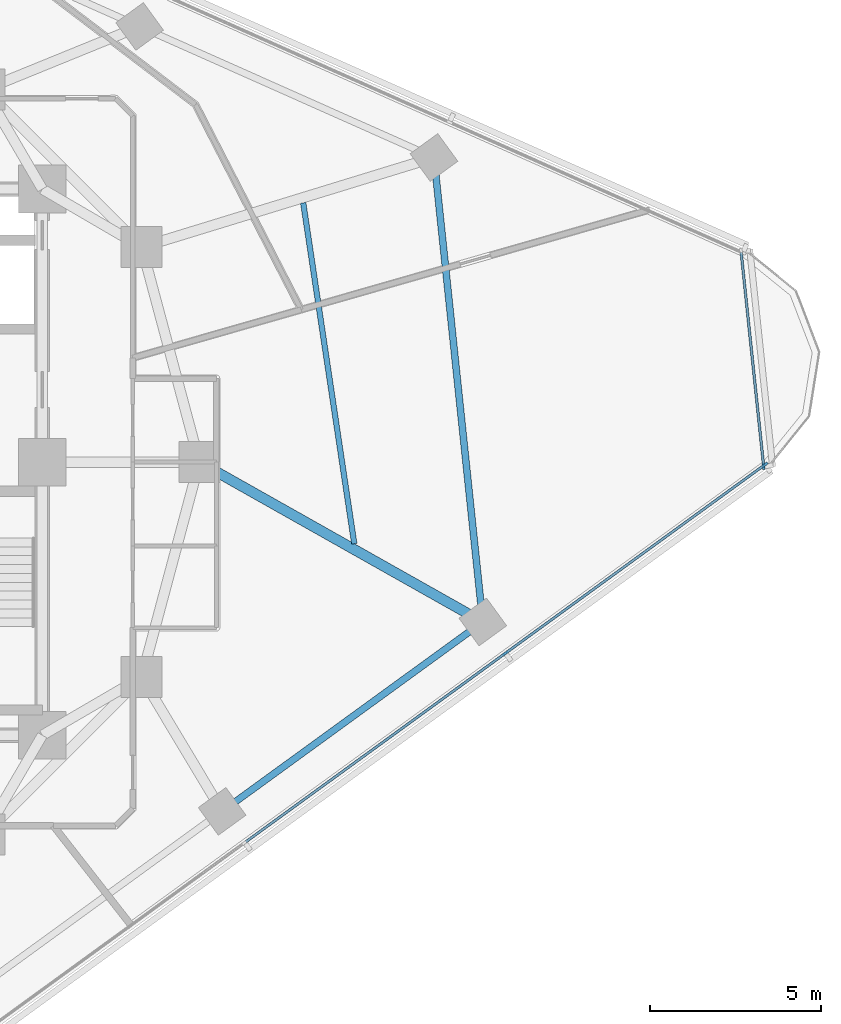
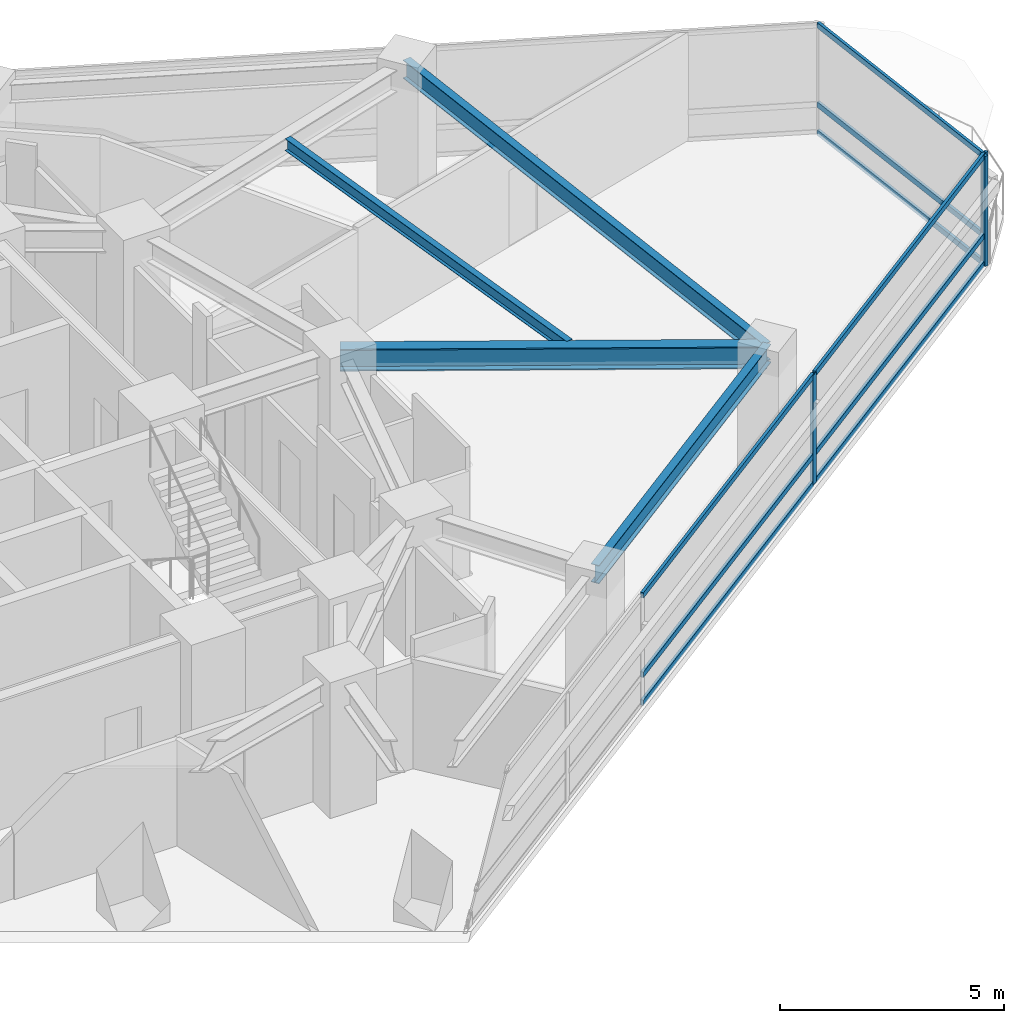
# One storey, part 4 of 14: 12 members, 4 beams, 2 elements without a shape of their own.
"""IFC4 building model written with IfcOpenShell, lengths in metres."""

from ifc_helpers import new_model, si_unit, direction, frame, origin, origin_2d, place, context, subcontext, project, spatial, rectangle, i_section, extrude, material, layer, layer_set, material_profile, profile_set, type_object, element, aggregate, save


model = new_model("IFC4")

# Units and contexts
model_context = context("Model", 3, precision=1e-05, world=origin(), true_north=direction((0.0, 1.0)))
body_context = subcontext(model_context, "Body", "Model", "MODEL_VIEW")
ifc_project = project(units=[si_unit("LENGTHUNIT", "METRE"), si_unit("AREAUNIT", "SQUARE_METRE"), si_unit("VOLUMEUNIT", "CUBIC_METRE"), si_unit("PLANEANGLEUNIT", "RADIAN"), si_unit("MASSUNIT", "GRAM", prefix="KILO")], contexts=[model_context])

# Site, building, storey
site_placement = place(None, origin())
site = spatial("IfcSite", under=ifc_project, at=site_placement, CompositionType="ELEMENT")
building_placement = place(site_placement, origin())
building = spatial("IfcBuilding", under=site, at=building_placement, Name="Terralouvre Media Tower", CompositionType="ELEMENT")
storey_placement = place(building_placement, frame((0.0, 0.0, 162.0)))
storey = spatial("IfcBuildingStorey", under=building, at=storey_placement, Name="L41", CompositionType="ELEMENT", Elevation=162.0)

# Beam
ifc_material_1 = material(Name="Structural steel S355J2", Category="steel")
ifc_material_profile_1 = material_profile(ifc_material_1, i_section(OverallWidth=0.159912109375, OverallDepth=0.330078125, WebThickness=0.007568359375, FlangeThickness=0.011474609375, at=origin_2d()), Name="IPE 330")
ifc_profile_set_1 = profile_set([ifc_material_profile_1], Name="Structural steel S355J2")
beam_type_1 = type_object("IfcBeamType", Name="Composite Floor Joist J-IPE330 (IPE 330)", PredefinedType="JOIST", material=ifc_profile_set_1)
beam_1_placement = place(storey_placement, frame((17.1396484375, -2.38916015625, 3.3349609375), z_axis=(-0.148174915539, 0.988961169311, 0.0), x_axis=(-0.988961169311, -0.148174915539, 0.0)))
element("IfcBeam", 1, at=beam_1_placement, inside=storey, type_object=beam_type_1, Name="L41 Framing Beam JT-L41-03", PredefinedType="JOIST", context=body_context, shape_type="SweptSolid", body=[
    extrude(i_section(OverallWidth=0.159912109375, OverallDepth=0.330078125, WebThickness=0.007568359375, FlangeThickness=0.011474609375, at=origin_2d()), origin(), (0.0, 0.0, 1.0), 10.096923828125),
])

# Curtain wall, members
ifc_material_2 = material(Name="Low-iron laminated double glazing with solar-control coating", Category="glass")
ifc_layer_1 = layer(ifc_material_2, 0.1650390625, Name="Production Studio Tower Curtain Wall CW-03")
ifc_layer_set_1 = layer_set([ifc_layer_1], Name="Low-iron laminated double glazing with solar-control coating")
curtain_wall_type_1 = type_object("IfcCurtainWallType", Name="Production Studio Tower Curtain Wall CW-03", PredefinedType="NOTDEFINED", material=ifc_layer_set_1)
curtain_wall_1_placement = place(storey_placement, origin())
curtain_wall_1 = element("IfcCurtainWall", 2, at=curtain_wall_1_placement, inside=storey, type_object=curtain_wall_type_1, Name="L41 Facade Curtain Wall F0", PredefinedType="NOTDEFINED")
ifc_material_3 = material(Name="Anodised extruded aluminium 6063-T6", Category="aluminium")
ifc_material_profile_2 = material_profile(ifc_material_3, rectangle(XDim=0.074951171875, YDim=0.14990234375, at=origin_2d()), Name="ALU 75x150")
ifc_profile_set_2 = profile_set([ifc_material_profile_2], Name="Anodised extruded aluminium 6063-T6")
member_type_1 = type_object("IfcMemberType", Name="Curtain-Wall Horizontal Transom TR-150", PredefinedType="USERDEFINED", material=ifc_profile_set_2)
member_1_placement = place(storey_placement, frame((13.9619140625, -11.123046875, 0.03759765625), z_axis=(0.809023450607, 0.587776365948, 0.0), x_axis=(-0.587776365948, 0.809023450607, 0.0)))
member_1 = element("IfcMember", 3, at=member_1_placement, type_object=member_type_1, Name="CW-03 transom 4.1", ObjectType="TRANSOM", PredefinedType="USERDEFINED", context=body_context, shape_type="SweptSolid", body=[
    extrude(rectangle(XDim=0.074951171875, YDim=0.14990234375, at=origin_2d()), origin(), (0.0, 0.0, 1.0), 9.365234375),
])
member_2_placement = place(storey_placement, frame((13.9619140625, -11.123046875, 0.800048828125), z_axis=(0.809023450607, 0.587776365948, 0.0), x_axis=(-0.587776365948, 0.809023450607, 0.0)))
member_2 = element("IfcMember", 4, at=member_2_placement, type_object=member_type_1, Name="CW-03 transom 4.2", ObjectType="TRANSOM", PredefinedType="USERDEFINED", context=body_context, shape_type="SweptSolid", body=[
    extrude(rectangle(XDim=0.074951171875, YDim=0.14990234375, at=origin_2d()), origin(), (0.0, 0.0, 1.0), 9.365234375),
])
member_3_placement = place(storey_placement, frame((13.9619140625, -11.123046875, 2.96240234375), z_axis=(0.809023450607, 0.587776365948, 0.0), x_axis=(-0.587776365948, 0.809023450607, 0.0)))
member_3 = element("IfcMember", 5, at=member_3_placement, type_object=member_type_1, Name="CW-03 transom 4.3", ObjectType="TRANSOM", PredefinedType="USERDEFINED", context=body_context, shape_type="SweptSolid", body=[
    extrude(rectangle(XDim=0.074951171875, YDim=0.14990234375, at=origin_2d()), origin(), (0.0, 0.0, 1.0), 9.365234375),
])
member_4_placement = place(storey_placement, frame((21.59912109375, -5.574462890625, 0.03759765625), z_axis=(0.809013297727, 0.587790340259, 0.0), x_axis=(-0.587790340259, 0.809013297727, 0.0)))
member_4 = element("IfcMember", 6, at=member_4_placement, type_object=member_type_1, Name="CW-03 transom 5.1", ObjectType="TRANSOM", PredefinedType="USERDEFINED", context=body_context, shape_type="SweptSolid", body=[
    extrude(rectangle(XDim=0.074951171875, YDim=0.14990234375, at=origin_2d()), origin(), (0.0, 0.0, 1.0), 9.32763671875),
])
member_5_placement = place(storey_placement, frame((21.59912109375, -5.574462890625, 0.800048828125), z_axis=(0.809013297727, 0.587790340259, 0.0), x_axis=(-0.587790340259, 0.809013297727, 0.0)))
member_5 = element("IfcMember", 7, at=member_5_placement, type_object=member_type_1, Name="CW-03 transom 5.2", ObjectType="TRANSOM", PredefinedType="USERDEFINED", context=body_context, shape_type="SweptSolid", body=[
    extrude(rectangle(XDim=0.074951171875, YDim=0.14990234375, at=origin_2d()), origin(), (0.0, 0.0, 1.0), 9.32763671875),
])
member_6_placement = place(storey_placement, frame((21.59912109375, -5.574462890625, 2.96240234375), z_axis=(0.809013297727, 0.587790340259, 0.0), x_axis=(-0.587790340259, 0.809013297727, 0.0)))
member_6 = element("IfcMember", 8, at=member_6_placement, type_object=member_type_1, Name="CW-03 transom 5.3", ObjectType="TRANSOM", PredefinedType="USERDEFINED", context=body_context, shape_type="SweptSolid", body=[
    extrude(rectangle(XDim=0.074951171875, YDim=0.14990234375, at=origin_2d()), origin(), (0.0, 0.0, 1.0), 9.32763671875),
])

ifc_material_4 = material(Name="Low-iron laminated double glazing with solar-control coating", Category="glass")
ifc_layer_2 = layer(ifc_material_4, 0.1650390625, Name="Rounded Wind-Corner Curved Glazing CW-04")
ifc_layer_set_2 = layer_set([ifc_layer_2], Name="Low-iron laminated double glazing with solar-control coating")
curtain_wall_type_2 = type_object("IfcCurtainWallType", Name="Rounded Wind-Corner Curved Glazing CW-04", PredefinedType="NOTDEFINED", material=ifc_layer_set_2)
curtain_wall_2_placement = place(storey_placement, origin())
curtain_wall_2 = element("IfcCurtainWall", 9, at=curtain_wall_2_placement, inside=storey, type_object=curtain_wall_type_2, Name="L41 Rounded Wind-Corner Curtain Wall C1", PredefinedType="NOTDEFINED")
member_7_placement = place(storey_placement, frame((29.12939453125, -0.0849609375, 0.03759765625), z_axis=(-0.104542643073, 0.994520404908, 0.0), x_axis=(-0.994520404908, -0.104542643073, 0.0)))
member_7 = element("IfcMember", 10, at=member_7_placement, type_object=member_type_1, Name="CW-04 transom 1.1", ObjectType="TRANSOM", PredefinedType="USERDEFINED", context=body_context, shape_type="SweptSolid", body=[
    extrude(rectangle(XDim=0.074951171875, YDim=0.14990234375, at=origin_2d()), origin(), (0.0, 0.0, 1.0), 6.258544921875),
])
member_8_placement = place(storey_placement, frame((29.12939453125, -0.0849609375, 0.800048828125), z_axis=(-0.104542643073, 0.994520404908, 0.0), x_axis=(-0.994520404908, -0.104542643073, 0.0)))
member_8 = element("IfcMember", 11, at=member_8_placement, type_object=member_type_1, Name="CW-04 transom 1.2", ObjectType="TRANSOM", PredefinedType="USERDEFINED", context=body_context, shape_type="SweptSolid", body=[
    extrude(rectangle(XDim=0.074951171875, YDim=0.14990234375, at=origin_2d()), origin(), (0.0, 0.0, 1.0), 6.258544921875),
])
member_9_placement = place(storey_placement, frame((29.12939453125, -0.0849609375, 2.96240234375), z_axis=(-0.104542643073, 0.994520404908, 0.0), x_axis=(-0.994520404908, -0.104542643073, 0.0)))
member_9 = element("IfcMember", 12, at=member_9_placement, type_object=member_type_1, Name="CW-04 transom 1.3", ObjectType="TRANSOM", PredefinedType="USERDEFINED", context=body_context, shape_type="SweptSolid", body=[
    extrude(rectangle(XDim=0.074951171875, YDim=0.14990234375, at=origin_2d()), origin(), (0.0, 0.0, 1.0), 6.258544921875),
])

# Member
ifc_material_5 = material(Name="Anodised extruded aluminium 6063-T6", Category="aluminium")
ifc_material_profile_3 = material_profile(ifc_material_5, rectangle(XDim=0.074951171875, YDim=0.179931640625, at=origin_2d()), Name="ALU 75x180")
ifc_profile_set_3 = profile_set([ifc_material_profile_3], Name="Anodised extruded aluminium 6063-T6")
member_type_2 = type_object("IfcMemberType", Name="Curtain-Wall Vertical Mullion ML-180", PredefinedType="MULLION", material=ifc_profile_set_3)
member_10_placement = place(storey_placement, frame((21.56884765625, -5.596435546875, 0.0), z_axis=(0.0, 0.0, 1.0), x_axis=(-0.587785358263, 0.809016917383, 0.0)))
member_10 = element("IfcMember", 13, at=member_10_placement, type_object=member_type_2, Name="CW-03 mullion 5", PredefinedType="MULLION", context=body_context, shape_type="SweptSolid", body=[
    extrude(rectangle(XDim=0.074951171875, YDim=0.179931640625, at=origin_2d()), origin(), (0.0, 0.0, 1.0), 3.0),
])

member_11_placement = place(storey_placement, frame((29.175537109375, -0.06982421875, 0.0), z_axis=(0.0, 0.0, 1.0), x_axis=(-0.587785358263, 0.809016917383, 0.0)))
member_11 = element("IfcMember", 14, at=member_11_placement, type_object=member_type_2, Name="CW-03 mullion 6", PredefinedType="MULLION", context=body_context, shape_type="SweptSolid", body=[
    extrude(rectangle(XDim=0.074951171875, YDim=0.179931640625, at=origin_2d()), origin(), (0.0, 0.0, 1.0), 3.0),
])

aggregate(curtain_wall_1, [member_10, member_11, member_1, member_2, member_3, member_4, member_5, member_6])

member_12_placement = place(storey_placement, frame((29.13330078125, -0.122314453125, 0.0), z_axis=(0.0, 0.0, 1.0), x_axis=(-0.994521891172, -0.10452850319, 0.0)))
member_12 = element("IfcMember", 15, at=member_12_placement, type_object=member_type_2, Name="CW-04 mullion 1", PredefinedType="MULLION", context=body_context, shape_type="SweptSolid", body=[
    extrude(rectangle(XDim=0.074951171875, YDim=0.179931640625, at=origin_2d()), origin(), (0.0, 0.0, 1.0), 3.0),
])

aggregate(curtain_wall_2, [member_12, member_7, member_8, member_9])

# Beams
ifc_material_6 = material(Name="Structural steel S355J2", Category="steel")
ifc_material_profile_4 = material_profile(ifc_material_6, i_section(OverallWidth=0.199951171875, OverallDepth=0.5, WebThickness=0.01025390625, FlangeThickness=0.01611328125, at=origin_2d()), Name="IPE 500")
ifc_profile_set_4 = profile_set([ifc_material_profile_4], Name="Structural steel S355J2")
beam_type_2 = type_object("IfcBeamType", Name="Perimeter Spandrel Beam SPB-500 (IPE 500)", PredefinedType="SPANDREL", material=ifc_profile_set_4)
beam_2_placement = place(storey_placement, frame((13.267578125, -10.23095703125, 3.25), z_axis=(0.809016709277, 0.587785644696, 0.0), x_axis=(-0.587785644696, 0.809016709277, 0.0)))
element("IfcBeam", 16, at=beam_2_placement, inside=storey, type_object=beam_type_2, Name="L41 Framing Beam BM-L41-PR05", PredefinedType="SPANDREL", context=body_context, shape_type="SweptSolid", body=[
    extrude(i_section(OverallWidth=0.199951171875, OverallDepth=0.5, WebThickness=0.01025390625, FlangeThickness=0.01611328125, at=origin_2d()), origin(), (0.0, 0.0, 1.0), 9.439697265625),
])
beam_3_placement = place(storey_placement, frame((20.904541015625, -4.682373046875, 3.25), z_axis=(-0.104517607269, 0.99452303632, 0.0), x_axis=(-0.99452303632, -0.104517607269, 0.0)))
element("IfcBeam", 17, at=beam_3_placement, inside=storey, type_object=beam_type_2, Name="L41 Framing Beam BM-L41-PR06", PredefinedType="SPANDREL", context=body_context, shape_type="SweptSolid", body=[
    extrude(i_section(OverallWidth=0.199951171875, OverallDepth=0.5, WebThickness=0.01025390625, FlangeThickness=0.01611328125, at=origin_2d()), origin(), (0.0, 0.0, 1.0), 13.68359375),
])
ifc_material_7 = material(Name="Structural steel S460M", Category="steel")
ifc_material_profile_5 = material_profile(ifc_material_7, i_section(OverallWidth=0.300048828125, OverallDepth=0.60009765625, WebThickness=0.015380859375, FlangeThickness=0.030029296875, at=origin_2d()), Name="HEB 600")
ifc_profile_set_5 = profile_set([ifc_material_profile_5], Name="Structural steel S460M")
beam_type_3 = type_object("IfcBeamType", Name="Primary Floor Girder B-HEB600 (HEB 600)", PredefinedType="BEAM", material=ifc_profile_set_5)
beam_4_placement = place(storey_placement, frame((12.60009765625, 0.0, 3.199951171875), z_axis=(0.871076516642, -0.491147332432, 0.0), x_axis=(0.491147332432, 0.871076516642, 0.0)))
element("IfcBeam", 18, at=beam_4_placement, inside=storey, type_object=beam_type_3, Name="L41 Framing Beam BM-L41-RD06", PredefinedType="BEAM", context=body_context, shape_type="SweptSolid", body=[
    extrude(i_section(OverallWidth=0.300048828125, OverallDepth=0.60009765625, WebThickness=0.015380859375, FlangeThickness=0.030029296875, at=origin_2d()), origin(), (0.0, 0.0, 1.0), 9.533447265625),
])

save(model, "model.ifc")
